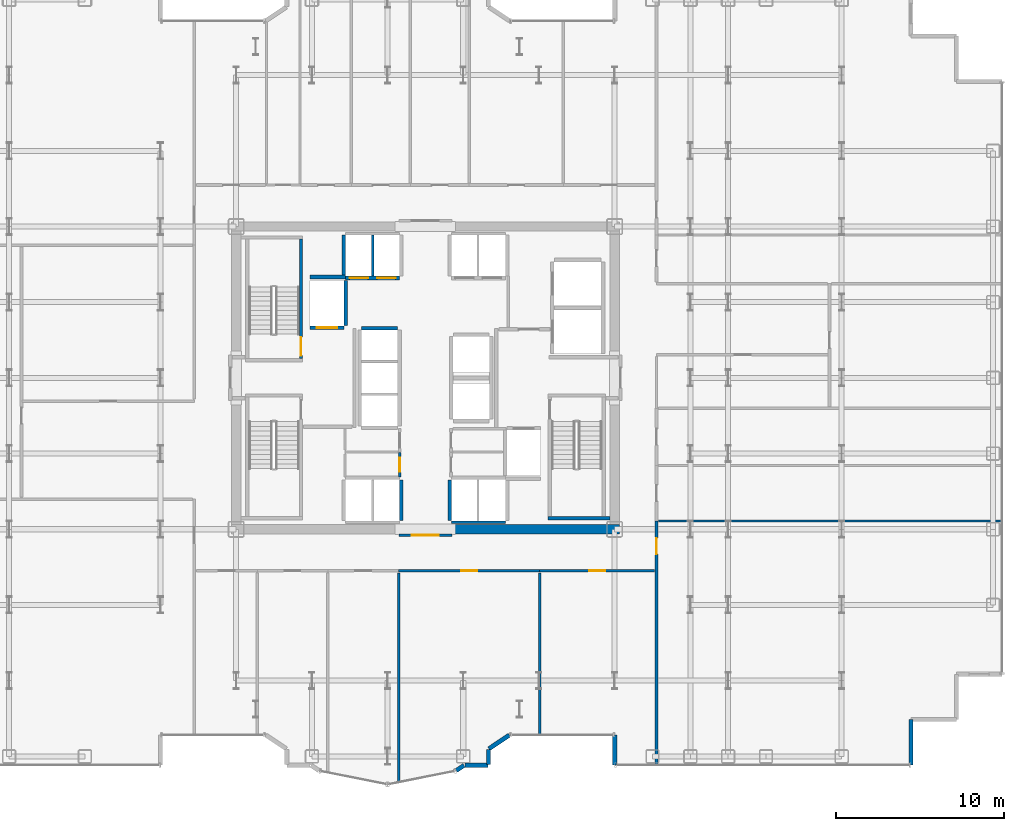
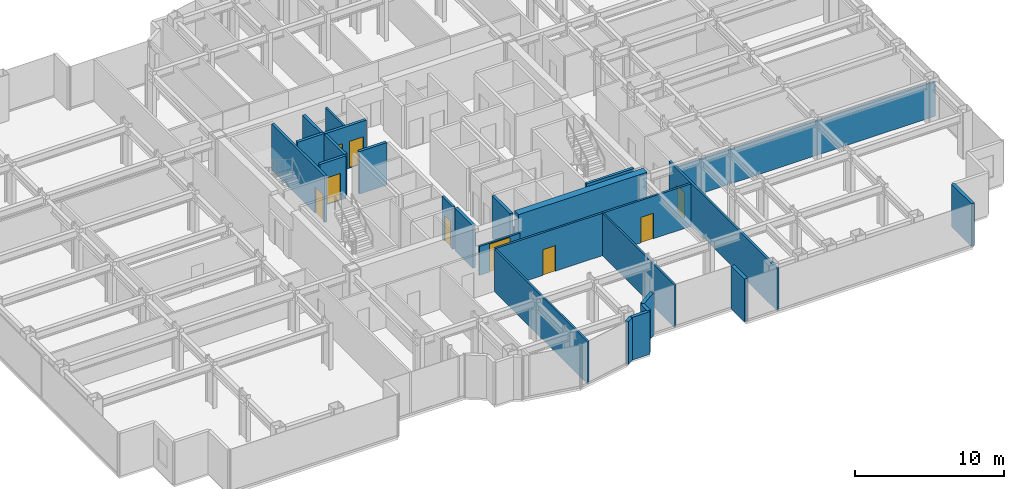
# One storey, part 21 of 26: 27 walls, 9 doors, 9 openings.
"""IFC4 building model written with IfcOpenShell, lengths in metres."""

from ifc_helpers import new_model, si_unit, direction, frame, frame_2d, origin, place, context, subcontext, project, spatial, rectangle, extrude, source, transform, mapped, material, layer, layer_set, type_object, element, fill, save


model = new_model("IFC4")

# Units and contexts
model_context = context("Model", 3, precision=1e-05, world=origin(), true_north=direction((0.0, 1.0)))
body_context = subcontext(model_context, "Body", "Model", "MODEL_VIEW")
ifc_project = project(units=[si_unit("LENGTHUNIT", "METRE"), si_unit("AREAUNIT", "SQUARE_METRE"), si_unit("VOLUMEUNIT", "CUBIC_METRE"), si_unit("PLANEANGLEUNIT", "RADIAN"), si_unit("MASSUNIT", "GRAM", prefix="KILO")], contexts=[model_context])

# Site, building, storey
site_placement = place(None, origin())
site = spatial("IfcSite", under=ifc_project, at=site_placement, CompositionType="ELEMENT")
building_placement = place(site_placement, origin())
building = spatial("IfcBuilding", under=site, at=building_placement, Name="Nefas-Gora Pilgrimage Tower", CompositionType="ELEMENT")
storey_placement = place(building_placement, frame((0.0, 0.0, 140.199951171875)))
storey = spatial("IfcBuildingStorey", under=building, at=storey_placement, Name="L34", CompositionType="ELEMENT", Elevation=140.199951171875)

# Walls
ifc_material_1 = material(Name="Concrete C60/75", Category="concrete")
ifc_layer_1 = layer(ifc_material_1, 0.550048828125)
ifc_layer_set_1 = layer_set([ifc_layer_1], Name="Concrete C60/75")
wall_type_1 = type_object("IfcWallType", Name="SW-CORE-550", PredefinedType="SHEAR", material=ifc_layer_set_1)
shared_shape_1 = source(origin(), body_context, "Body", "SweptSolid", [
    extrude(rectangle(XDim=9.974853515625, YDim=0.550048828125, at=frame_2d((4.9873046875, 0.0))), origin(), (0.0, 0.0, 1.0), 3.800048828125),
])
wall_1_placement = place(storey_placement, frame((1.550048828125, -9.0, 0.0), z_axis=(0.0, 0.0, 1.0), x_axis=(1.0, 0.0, 0.0)))
element("IfcWall", 1, at=wall_1_placement, inside=storey, type_object=wall_type_1, Name="L34 Core Shear Wall S-East", PredefinedType="SHEAR", context=body_context, shape_type="MappedRepresentation", body=[
    mapped(shared_shape_1, transform((0.0, 0.0, 0.0), x_axis=(1.0, 0.0, 0.0), y_axis=(0.0, 1.0, 0.0), z_axis=(0.0, 0.0, 1.0), scale=1.0)),
])
ifc_material_2 = material(Name="Precast concrete C40/50", Category="concrete")
ifc_layer_2 = layer(ifc_material_2, 0.260009765625)
ifc_layer_set_2 = layer_set([ifc_layer_2], Name="Precast concrete C40/50")
wall_type_2 = type_object("IfcWallType", Name="EW-PORTAL-260", PredefinedType="SOLIDWALL", material=ifc_layer_set_2)
shared_shape_2 = source(origin(), body_context, "Body", "SweptSolid", [
    extrude(rectangle(XDim=1.800048828125, YDim=0.260009765625, at=frame_2d((0.89990234375, 0.0))), origin(), (0.0, 0.0, 1.0), 3.5),
])
wall_2_placement = place(storey_placement, frame((11.25, -21.219970703125, 0.0), z_axis=(0.0, 0.0, 1.0), x_axis=(0.0, -1.0, 0.0)))
element("IfcWall", 2, at=wall_2_placement, inside=storey, type_object=wall_type_2, Name="L34 Lobe Shoulder Precast Spandrel Pier 1", PredefinedType="SOLIDWALL", context=body_context, shape_type="MappedRepresentation", body=[
    mapped(shared_shape_2, transform((0.0, 0.0, 0.0), x_axis=(1.0, 0.0, 0.0), y_axis=(0.0, 1.0, 0.0), z_axis=(0.0, 0.0, 1.0), scale=1.0)),
])
ifc_material_3 = material(Name="Precast concrete C45/55", Category="concrete")
ifc_layer_3 = layer(ifc_material_3, 0.239990234375)
ifc_layer_set_3 = layer_set([ifc_layer_3], Name="Precast concrete C45/55")
wall_type_3 = type_object("IfcWallType", Name="EW-SERR-240", PredefinedType="SHEAR", material=ifc_layer_set_3)
shared_shape_3 = source(origin(), body_context, "Body", "SweptSolid", [
    extrude(rectangle(XDim=2.699951171875, YDim=0.239990234375, at=frame_2d((1.35009765625, 0.0))), origin(), (0.0, 0.0, 1.0), 3.5),
])
wall_3_placement = place(storey_placement, frame((28.8701171875, -23.02001953125, 0.0), z_axis=(0.0, 0.0, 1.0), x_axis=(0.0, 1.0, 0.0)))
element("IfcWall", 3, at=wall_3_placement, inside=storey, type_object=wall_type_3, Name="L34 Serrated Corner Shear Pier Wall 2", PredefinedType="SHEAR", context=body_context, shape_type="MappedRepresentation", body=[
    mapped(shared_shape_3, transform((0.0, 0.0, 0.0), x_axis=(1.0, 0.0, 0.0), y_axis=(0.0, 1.0, 0.0), z_axis=(0.0, 0.0, 1.0), scale=1.0)),
])
shared_shape_4 = source(origin(), body_context, "Body", "SweptSolid", [
    extrude(rectangle(XDim=1.468994140625, YDim=0.260009765625, at=frame_2d((0.734375, 0.0))), origin(), (0.0, 0.0, 1.0), 3.5),
])
wall_4_placement = place(storey_placement, frame((3.773193359375, -22.0517578125, 0.0), z_axis=(0.0, 0.0, 1.0), x_axis=(0.831461760506, 0.555581983884, 0.0)))
element("IfcWall", 4, at=wall_4_placement, inside=storey, type_object=wall_type_2, Name="L34 Lobe Shoulder Precast Spandrel Pier 36", PredefinedType="SOLIDWALL", context=body_context, shape_type="MappedRepresentation", body=[
    mapped(shared_shape_4, transform((0.0, 0.0, 0.0), x_axis=(1.0, 0.0, 0.0), y_axis=(0.0, 1.0, 0.0), z_axis=(0.0, 0.0, 1.0), scale=1.0)),
])
shared_shape_5 = source(origin(), body_context, "Body", "SweptSolid", [
    extrude(rectangle(XDim=0.896728515625, YDim=0.260009765625, at=frame_2d((0.4482421875, 0.0))), origin(), (0.0, 0.0, 1.0), 3.5),
])
wall_5_placement = place(storey_placement, frame((3.75, -22.991943359375, 0.0), z_axis=(0.0, 0.0, 1.0), x_axis=(0.0, 1.0, 0.0)))
element("IfcWall", 5, at=wall_5_placement, inside=storey, type_object=wall_type_2, Name="L34 Lobe Shoulder Precast Spandrel Pier 35", PredefinedType="SOLIDWALL", context=body_context, shape_type="MappedRepresentation", body=[
    mapped(shared_shape_5, transform((0.0, 0.0, 0.0), x_axis=(1.0, 0.0, 0.0), y_axis=(0.0, 1.0, 0.0), z_axis=(0.0, 0.0, 1.0), scale=1.0)),
])
shared_shape_6 = source(origin(), body_context, "Body", "SweptSolid", [
    extrude(rectangle(XDim=1.369873046875, YDim=0.260009765625, at=frame_2d((0.68505859375, 0.0))), origin(), (0.0, 0.0, 1.0), 3.5),
])
wall_6_placement = place(storey_placement, frame((2.35205078125, -23.02001953125, 0.0), z_axis=(0.0, 0.0, 1.0), x_axis=(1.0, 0.0, 0.0)))
element("IfcWall", 6, at=wall_6_placement, inside=storey, type_object=wall_type_2, Name="L34 Lobe Shoulder Precast Spandrel Pier 34", PredefinedType="SOLIDWALL", context=body_context, shape_type="MappedRepresentation", body=[
    mapped(shared_shape_6, transform((0.0, 0.0, 0.0), x_axis=(1.0, 0.0, 0.0), y_axis=(0.0, 1.0, 0.0), z_axis=(0.0, 0.0, 1.0), scale=1.0)),
])
shared_shape_7 = source(origin(), body_context, "Body", "SweptSolid", [
    extrude(rectangle(XDim=0.5654296875, YDim=0.260009765625, at=frame_2d((0.28271484375, 0.0))), origin(), (0.0, 0.0, 1.0), 3.5),
])
wall_7_placement = place(storey_placement, frame((1.83056640625, -23.349609375, 0.0), z_axis=(0.0, 0.0, 1.0), x_axis=(0.831651492666, 0.555297933317, 0.0)))
element("IfcWall", 7, at=wall_7_placement, inside=storey, type_object=wall_type_2, Name="L34 Lobe Shoulder Precast Spandrel Pier 33", PredefinedType="SOLIDWALL", context=body_context, shape_type="MappedRepresentation", body=[
    mapped(shared_shape_7, transform((0.0, 0.0, 0.0), x_axis=(1.0, 0.0, 0.0), y_axis=(0.0, 1.0, 0.0), z_axis=(0.0, 0.0, 1.0), scale=1.0)),
])

# Wall, opening, door
ifc_material_4 = material(Name="Concrete C45/55", Category="concrete")
ifc_layer_4 = layer(ifc_material_4, 0.199951171875)
ifc_layer_set_4 = layer_set([ifc_layer_4], Name="Concrete C45/55")
wall_type_4 = type_object("IfcWallType", Name="IW-STAIR-200", PredefinedType="SOLIDWALL", material=ifc_layer_set_4)
shared_shape_8 = source(origin(), body_context, "Body", "SweptSolid", [
    extrude(rectangle(XDim=7.10009765625, YDim=0.199951171875, at=frame_2d((3.550048828125, 0.0))), origin(), (0.0, 0.0, 1.0), 3.800048828125),
])
wall_8_placement = place(storey_placement, frame((-7.39990234375, 1.14990234375, 0.0), z_axis=(0.0, 0.0, 1.0), x_axis=(0.0, 1.0, 0.0)))
wall_8 = element("IfcWall", 8, at=wall_8_placement, inside=storey, type_object=wall_type_4, Name="L34 Stairwell Shear Wall ST-01-left", PredefinedType="SOLIDWALL", context=body_context, shape_type="MappedRepresentation", body=[
    mapped(shared_shape_8, transform((0.0, 0.0, 0.0), x_axis=(1.0, 0.0, 0.0), y_axis=(0.0, 1.0, 0.0), z_axis=(0.0, 0.0, 1.0), scale=1.0)),
])
opening_1_placement = place(wall_8_placement, frame((0.179931640625, 0.0, 0.0)))
opening_1 = element("IfcOpeningElement", 9, at=opening_1_placement, cuts=wall_8, Name="Opening ID-ST1", PredefinedType="OPENING", context=body_context, shape_type="SweptSolid", body=[
    extrude(rectangle(XDim=1.10009765625, YDim=2.14990234375, at=frame_2d((0.550048828125, 1.074951171875))), frame((0.0, 0.10986328125, 0.0), z_axis=(0.0, -1.0, 0.0), x_axis=(1.0, 0.0, 0.0)), (0.0, 0.0, 1.0), 0.219970703125),
])
ifc_material_5 = material(Name="Painted galvanised steel fire stair door", Category="steel")
door_type_1 = type_object("IfcDoorType", Name="DR-INT-STAIR-1100", OperationType="NOTDEFINED", PredefinedType="DOOR", material=ifc_material_5)
shared_shape_9 = source(origin(), body_context, "Body", "SweptSolid", [
    extrude(rectangle(XDim=1.10009765625, YDim=2.14990234375, at=frame_2d((0.550048828125, 1.074951171875))), frame((0.0, 0.02490234375, 0.0), z_axis=(0.0, -1.0, 0.0), x_axis=(1.0, 0.0, 0.0)), (0.0, 0.0, 1.0), 0.050048828125),
])
door_1_placement = place(opening_1_placement, origin())
door_1 = element("IfcDoor", 10, at=door_1_placement, inside=storey, type_object=door_type_1, Name="L34 Protected Exit Stair Door ST-01", OperationType="SINGLE_SWING_RIGHT", OverallHeight=2.14990234375, OverallWidth=1.10009765625, PredefinedType="DOOR", context=body_context, shape_type="MappedRepresentation", body=[
    mapped(shared_shape_9, transform((0.0, 0.0, 0.0), x_axis=(1.0, 0.0, 0.0), y_axis=(0.0, 1.0, 0.0), z_axis=(0.0, 0.0, 1.0), scale=1.0)),
])
fill(opening_1, door_1)

# Wall
shared_shape_10 = source(origin(), body_context, "Body", "SweptSolid", [
    extrude(rectangle(XDim=3.679931640625, YDim=0.199951171875, at=frame_2d((1.83984375, 0.0))), origin(), (0.0, 0.0, 1.0), 3.800048828125),
])
wall_9_placement = place(storey_placement, frame((7.300048828125, -8.35009765625, 0.0), z_axis=(0.0, 0.0, 1.0), x_axis=(1.0, 0.0, 0.0)))
element("IfcWall", 11, at=wall_9_placement, inside=storey, type_object=wall_type_4, Name="L34 Stairwell Shear Wall ST-02-far", PredefinedType="SOLIDWALL", context=body_context, shape_type="MappedRepresentation", body=[
    mapped(shared_shape_10, transform((0.0, 0.0, 0.0), x_axis=(1.0, 0.0, 0.0), y_axis=(0.0, 1.0, 0.0), z_axis=(0.0, 0.0, 1.0), scale=1.0)),
])

# Wall, opening, door
ifc_material_6 = material(Name="Concrete C40/50", Category="concrete")
ifc_layer_5 = layer(ifc_material_6, 0.219970703125)
ifc_layer_set_5 = layer_set([ifc_layer_5], Name="Concrete C40/50")
wall_type_5 = type_object("IfcWallType", Name="IW-SHAFT-220", PredefinedType="SOLIDWALL", material=ifc_layer_set_5)
shared_shape_11 = source(origin(), body_context, "Body", "SweptSolid", [
    extrude(rectangle(XDim=2.0, YDim=0.219970703125, at=frame_2d((1.0, 0.0))), origin(), (0.0, 0.0, 1.0), 3.485107421875),
])
wall_10_placement = place(storey_placement, frame((-6.85009765625, 2.989990234375, 0.0), z_axis=(0.0, 0.0, 1.0), x_axis=(1.0, 0.0, 0.0)))
wall_10 = element("IfcWall", 12, at=wall_10_placement, inside=storey, type_object=wall_type_5, Name="L34 Hoistway Wall FFL-01-S", PredefinedType="SOLIDWALL", context=body_context, shape_type="MappedRepresentation", body=[
    mapped(shared_shape_11, transform((0.0, 0.0, 0.0), x_axis=(1.0, 0.0, 0.0), y_axis=(0.0, 1.0, 0.0), z_axis=(0.0, 0.0, 1.0), scale=1.0)),
])
opening_2_placement = place(wall_10_placement, frame((0.39990234375, 0.0, 0.0)))
opening_2 = element("IfcOpeningElement", 13, at=opening_2_placement, cuts=wall_10, Name="Opening LD-FF", PredefinedType="OPENING", context=body_context, shape_type="SweptSolid", body=[
    extrude(rectangle(XDim=1.199951171875, YDim=2.199951171875, at=frame_2d((0.60009765625, 1.10009765625))), frame((0.0, 0.119873046875, 0.0), z_axis=(0.0, -1.0, 0.0), x_axis=(1.0, 0.0, 0.0)), (0.0, 0.0, 1.0), 0.239990234375),
])
ifc_material_7 = material(Name="Fire-service sliding lift landing door")
door_type_2 = type_object("IfcDoorType", Name="DR-LIFT-FSAE-1200", OperationType="SLIDING_TO_LEFT", PredefinedType="DOOR", material=ifc_material_7)
shared_shape_12 = source(origin(), body_context, "Body", "SweptSolid", [
    extrude(rectangle(XDim=1.199951171875, YDim=2.199951171875, at=frame_2d((0.60009765625, 1.10009765625))), frame((0.0, 0.02490234375, 0.0), z_axis=(0.0, -1.0, 0.0), x_axis=(1.0, 0.0, 0.0)), (0.0, 0.0, 1.0), 0.050048828125),
])
door_2_placement = place(opening_2_placement, origin())
door_2 = element("IfcDoor", 14, at=door_2_placement, inside=storey, type_object=door_type_2, Name="L34 Sliding Lift Landing Door FFL-01", OperationType="SLIDING_TO_LEFT", OverallHeight=2.199951171875, OverallWidth=1.199951171875, PredefinedType="DOOR", context=body_context, shape_type="MappedRepresentation", body=[
    mapped(shared_shape_12, transform((0.0, 0.0, 0.0), x_axis=(1.0, 0.0, 0.0), y_axis=(0.0, 1.0, 0.0), z_axis=(0.0, 0.0, 1.0), scale=1.0)),
])
fill(opening_2, door_2)

# Wall
shared_shape_13 = source(origin(), body_context, "Body", "SweptSolid", [
    extrude(rectangle(XDim=2.679931640625, YDim=0.219970703125, at=frame_2d((1.33984375, 0.0))), origin(), (0.0, 0.0, 1.0), 3.485107421875),
])
wall_11_placement = place(storey_placement, frame((-4.739990234375, 3.110107421875, 0.0), z_axis=(0.0, 0.0, 1.0), x_axis=(0.0, 1.0, 0.0)))
element("IfcWall", 15, at=wall_11_placement, inside=storey, type_object=wall_type_5, Name="L34 Hoistway Wall FFL-01-E", PredefinedType="SOLIDWALL", context=body_context, shape_type="MappedRepresentation", body=[
    mapped(shared_shape_13, transform((0.0, 0.0, 0.0), x_axis=(1.0, 0.0, 0.0), y_axis=(0.0, 1.0, 0.0), z_axis=(0.0, 0.0, 1.0), scale=1.0)),
])

# Wall, openings, doors
shared_shape_14 = source(origin(), body_context, "Body", "SweptSolid", [
    extrude(rectangle(XDim=3.199951171875, YDim=0.219970703125, at=frame_2d((1.60009765625, 0.0))), origin(), (0.0, 0.0, 1.0), 3.485107421875),
])
wall_12_placement = place(storey_placement, frame((-4.75, 5.93994140625, 0.0), z_axis=(0.0, 0.0, 1.0), x_axis=(1.0, 0.0, 0.0)))
wall_12 = element("IfcWall", 16, at=wall_12_placement, inside=storey, type_object=wall_type_5, Name="L34 Hoistway Wall PL1-W-S", PredefinedType="SOLIDWALL", context=body_context, shape_type="MappedRepresentation", body=[
    mapped(shared_shape_14, transform((0.0, 0.0, 0.0), x_axis=(1.0, 0.0, 0.0), y_axis=(0.0, 1.0, 0.0), z_axis=(0.0, 0.0, 1.0), scale=1.0)),
])
opening_3_placement = place(wall_12_placement, frame((0.25, 0.0, 0.0)))
opening_3 = element("IfcOpeningElement", 17, at=opening_3_placement, cuts=wall_12, Name="Opening LD-01", PredefinedType="OPENING", context=body_context, shape_type="SweptSolid", body=[
    extrude(rectangle(XDim=1.10009765625, YDim=2.199951171875, at=frame_2d((0.550048828125, 1.10009765625))), frame((0.0, 0.119873046875, 0.0), z_axis=(0.0, -1.0, 0.0), x_axis=(1.0, 0.0, 0.0)), (0.0, 0.0, 1.0), 0.239990234375),
])
opening_4_placement = place(wall_12_placement, frame((1.875, 0.0, 0.0)))
opening_4 = element("IfcOpeningElement", 18, at=opening_4_placement, cuts=wall_12, Name="Opening LD-01", PredefinedType="OPENING", context=body_context, shape_type="SweptSolid", body=[
    extrude(rectangle(XDim=1.10009765625, YDim=2.199951171875, at=frame_2d((0.550048828125, 1.10009765625))), frame((0.0, 0.119873046875, 0.0), z_axis=(0.0, -1.0, 0.0), x_axis=(1.0, 0.0, 0.0)), (0.0, 0.0, 1.0), 0.239990234375),
])
ifc_material_8 = material(Name="Brushed stainless sliding lift landing door")
door_type_3 = type_object("IfcDoorType", Name="DR-LIFT-PASS-1100", OperationType="DOUBLE_DOOR_SLIDING", PredefinedType="DOOR", material=ifc_material_8)
shared_shape_15 = source(origin(), body_context, "Body", "SweptSolid", [
    extrude(rectangle(XDim=1.10009765625, YDim=2.199951171875, at=frame_2d((0.550048828125, 1.10009765625))), frame((0.0, 0.02490234375, 0.0), z_axis=(0.0, -1.0, 0.0), x_axis=(1.0, 0.0, 0.0)), (0.0, 0.0, 1.0), 0.050048828125),
])
door_3_placement = place(opening_3_placement, origin())
door_3 = element("IfcDoor", 19, at=door_3_placement, inside=storey, type_object=door_type_3, Name="L34 Sliding Lift Landing Door PL1-01", OperationType="DOUBLE_DOOR_SLIDING", OverallHeight=2.199951171875, OverallWidth=1.10009765625, PredefinedType="DOOR", context=body_context, shape_type="MappedRepresentation", body=[
    mapped(shared_shape_15, transform((0.0, 0.0, 0.0), x_axis=(1.0, 0.0, 0.0), y_axis=(0.0, 1.0, 0.0), z_axis=(0.0, 0.0, 1.0), scale=1.0)),
])
fill(opening_3, door_3)
door_4_placement = place(opening_4_placement, origin())
door_4 = element("IfcDoor", 20, at=door_4_placement, inside=storey, type_object=door_type_3, Name="L34 Sliding Lift Landing Door PL1-02", OperationType="DOUBLE_DOOR_SLIDING", OverallHeight=2.199951171875, OverallWidth=1.10009765625, PredefinedType="DOOR", context=body_context, shape_type="MappedRepresentation", body=[
    mapped(shared_shape_15, transform((0.0, 0.0, 0.0), x_axis=(1.0, 0.0, 0.0), y_axis=(0.0, 1.0, 0.0), z_axis=(0.0, 0.0, 1.0), scale=1.0)),
])
fill(opening_4, door_4)

# Walls
ifc_material_9 = material(Name="Gypsum acoustic stud partition")
ifc_layer_6 = layer(ifc_material_9, 0.159912109375)
ifc_layer_set_6 = layer_set([ifc_layer_6], Name="Gypsum acoustic stud partition")
wall_type_6 = type_object("IfcWallType", Name="IW-CORR-160", PredefinedType="PARTITIONING", material=ifc_layer_set_6)
shared_shape_16 = source(origin(), body_context, "Body", "SweptSolid", [
    extrude(rectangle(XDim=3.199951171875, YDim=0.159912109375, at=frame_2d((1.60009765625, 0.0))), origin(), (0.0, 0.0, 1.0), 2.375),
])
wall_13_placement = place(storey_placement, frame((1.550048828125, -8.580078125, 0.0), z_axis=(0.0, 0.0, 1.0), x_axis=(1.0, 0.0, 0.0)))
element("IfcWall", 21, at=wall_13_placement, inside=storey, type_object=wall_type_6, Name="L34 Hoistway Wall PL2-E-S", PredefinedType="PARTITIONING", context=body_context, shape_type="MappedRepresentation", body=[
    mapped(shared_shape_16, transform((0.0, 0.0, 0.0), x_axis=(1.0, 0.0, 0.0), y_axis=(0.0, 1.0, 0.0), z_axis=(0.0, 0.0, 1.0), scale=1.0)),
])
shared_shape_17 = source(origin(), body_context, "Body", "SweptSolid", [
    extrude(rectangle(XDim=2.429931640625, YDim=0.219970703125, at=frame_2d((1.21484375, 0.0))), origin(), (0.0, 0.0, 1.0), 3.485107421875),
])
for number, where, z_axis, x_axis, name in (
    (22, (-4.860107421875, 8.489990234375, 0.0), (0.0, 0.0, 1.0), (0.0, -1.0, 0.0), "L34 Hoistway Wall PL1-W-W"),
    (23, (-1.43994140625, -8.489990234375, 0.0), (0.0, 0.0, 1.0), (0.0, 1.0, 0.0), "L34 Hoistway Wall PL2-W-E"),
    (24, (1.43994140625, -6.06005859375, 0.0), (0.0, 0.0, 1.0), (0.0, -1.0, 0.0), "L34 Hoistway Wall PL2-E-W"),
):
    element("IfcWall", number, at=place(storey_placement, frame(where, z_axis=z_axis, x_axis=x_axis)), inside=storey, type_object=wall_type_5, Name=name, PredefinedType="SOLIDWALL", context=body_context, shape_type="MappedRepresentation", body=[
        mapped(shared_shape_17, transform((0.0, 0.0, 0.0), x_axis=(1.0, 0.0, 0.0), y_axis=(0.0, 1.0, 0.0), z_axis=(0.0, 0.0, 1.0), scale=1.0)),
    ])
ifc_material_10 = material(Name="Gypsum twin-stud partition")
ifc_layer_7 = layer(ifc_material_10, 0.139892578125)
ifc_layer_set_7 = layer_set([ifc_layer_7], Name="Gypsum twin-stud partition")
wall_type_7 = type_object("IfcWallType", Name="IW-UNIT-140", PredefinedType="PARTITIONING", material=ifc_layer_set_7)
shared_shape_18 = source(origin(), body_context, "Body", "SweptSolid", [
    extrude(rectangle(XDim=2.429931640625, YDim=0.139892578125, at=frame_2d((1.21484375, 0.0))), origin(), (0.0, 0.0, 1.0), 3.485107421875),
])
wall_14_placement = place(storey_placement, frame((-3.125, 6.06005859375, 0.0), z_axis=(0.0, 0.0, 1.0), x_axis=(0.0, 1.0, 0.0)))
element("IfcWall", 25, at=wall_14_placement, inside=storey, type_object=wall_type_7, Name="L34 Hoistway Wall PL1-W-DIV", PredefinedType="PARTITIONING", context=body_context, shape_type="MappedRepresentation", body=[
    mapped(shared_shape_18, transform((0.0, 0.0, 0.0), x_axis=(1.0, 0.0, 0.0), y_axis=(0.0, 1.0, 0.0), z_axis=(0.0, 0.0, 1.0), scale=1.0)),
])
shared_shape_19 = source(origin(), body_context, "Body", "SweptSolid", [
    extrude(rectangle(XDim=2.130126953125, YDim=0.219970703125, at=frame_2d((1.06494140625, 0.0))), origin(), (0.0, 0.0, 1.0), 3.485107421875),
])
wall_15_placement = place(storey_placement, frame((-1.659912109375, 2.9599609375, 0.0), z_axis=(0.0, 0.0, 1.0), x_axis=(-1.0, 0.0, 0.0)))
element("IfcWall", 26, at=wall_15_placement, inside=storey, type_object=wall_type_5, Name="L34 Hoistway Wall PL3-03-N", PredefinedType="SOLIDWALL", context=body_context, shape_type="MappedRepresentation", body=[
    mapped(shared_shape_19, transform((0.0, 0.0, 0.0), x_axis=(1.0, 0.0, 0.0), y_axis=(0.0, 1.0, 0.0), z_axis=(0.0, 0.0, 1.0), scale=1.0)),
])
shared_shape_20 = source(origin(), body_context, "Body", "SweptSolid", [
    extrude(rectangle(XDim=20.429931640625, YDim=0.139892578125, at=frame_2d((10.21484375, 0.0))), origin(), (0.0, 0.0, 1.0), 2.824951171875),
])
wall_16_placement = place(storey_placement, frame((13.860107421875, -8.5048828125, 0.0), z_axis=(0.0, 0.0, 1.0), x_axis=(1.0, 0.0, 0.0)))
element("IfcWall", 27, at=wall_16_placement, inside=storey, type_object=wall_type_7, Name="L34 Pilgrim Tea and Beverage Pantry Partition Wall 36", PredefinedType="PARTITIONING", context=body_context, shape_type="MappedRepresentation", body=[
    mapped(shared_shape_20, transform((0.0, 0.0, 0.0), x_axis=(1.0, 0.0, 0.0), y_axis=(0.0, 1.0, 0.0), z_axis=(0.0, 0.0, 1.0), scale=1.0)),
])
shared_shape_21 = source(origin(), body_context, "Body", "SweptSolid", [
    extrude(rectangle(XDim=2.09521484375, YDim=0.219970703125, at=frame_2d((1.047607421875, 0.0))), origin(), (0.0, 0.0, 1.0), 3.485107421875),
])
wall_17_placement = place(storey_placement, frame((-6.85009765625, 6.0, 0.0), z_axis=(0.0, 0.0, 1.0), x_axis=(1.0, 0.0, 0.0)))
element("IfcWall", 28, at=wall_17_placement, inside=storey, type_object=wall_type_5, Name="L34 Riser Shaft Wall 1", PredefinedType="SOLIDWALL", context=body_context, shape_type="MappedRepresentation", body=[
    mapped(shared_shape_21, transform((0.0, 0.0, 0.0), x_axis=(1.0, 0.0, 0.0), y_axis=(0.0, 1.0, 0.0), z_axis=(0.0, 0.0, 1.0), scale=1.0)),
])
shared_shape_22 = source(origin(), body_context, "Body", "SweptSolid", [
    extrude(rectangle(XDim=9.64990234375, YDim=0.139892578125, at=frame_2d((4.824951171875, 0.0))), origin(), (0.0, 0.0, 1.0), 3.485107421875),
])
wall_18_placement = place(storey_placement, frame((6.794921875, -21.239990234375, 0.0), z_axis=(0.0, 0.0, 1.0), x_axis=(0.0, 1.0, 0.0)))
element("IfcWall", 29, at=wall_18_placement, inside=storey, type_object=wall_type_7, Name="L34 Pilgrim Contemplative Lounge Partition Wall 63", PredefinedType="PARTITIONING", context=body_context, shape_type="MappedRepresentation", body=[
    mapped(shared_shape_22, transform((0.0, 0.0, 0.0), x_axis=(1.0, 0.0, 0.0), y_axis=(0.0, 1.0, 0.0), z_axis=(0.0, 0.0, 1.0), scale=1.0)),
])

# Wall, opening, door
shared_shape_23 = source(origin(), body_context, "Body", "SweptSolid", [
    extrude(rectangle(XDim=3.16015625, YDim=0.159912109375, at=frame_2d((1.580078125, 0.0))), origin(), (0.0, 0.0, 1.0), 2.375),
])
wall_19_placement = place(storey_placement, frame((-1.580078125, -9.35009765625, 0.0), z_axis=(0.0, 0.0, 1.0), x_axis=(1.0, 0.0, 0.0)))
wall_19 = element("IfcWall", 30, at=wall_19_placement, inside=storey, type_object=wall_type_6, Name="L34 Central Lift Lobby South Portal Wall 14", PredefinedType="PARTITIONING", context=body_context, shape_type="MappedRepresentation", body=[
    mapped(shared_shape_23, transform((0.0, 0.0, 0.0), x_axis=(1.0, 0.0, 0.0), y_axis=(0.0, 1.0, 0.0), z_axis=(0.0, 0.0, 1.0), scale=1.0)),
])
opening_5_placement = place(wall_19_placement, frame((0.780029296875, 0.0, 0.0)))
opening_5 = element("IfcOpeningElement", 31, at=opening_5_placement, cuts=wall_19, Name="Opening ID-HL1", PredefinedType="OPENING", context=body_context, shape_type="SweptSolid", body=[
    extrude(rectangle(XDim=1.60009765625, YDim=2.300048828125, at=frame_2d((0.800048828125, 1.14990234375))), frame((0.0, 0.08984375, 0.0), z_axis=(0.0, -1.0, 0.0), x_axis=(1.0, 0.0, 0.0)), (0.0, 0.0, 1.0), 0.179931640625),
])
ifc_material_11 = material(Name="Double acoustic timber assembly hall door", Category="wood")
door_type_4 = type_object("IfcDoorType", Name="DR-INT-HALL-1600", OperationType="DOUBLE_DOOR_SINGLE_SWING", PredefinedType="DOOR", material=ifc_material_11)
shared_shape_24 = source(origin(), body_context, "Body", "SweptSolid", [
    extrude(rectangle(XDim=1.60009765625, YDim=2.300048828125, at=frame_2d((0.800048828125, 1.14990234375))), frame((0.0, 0.02490234375, 0.0), z_axis=(0.0, -1.0, 0.0), x_axis=(1.0, 0.0, 0.0)), (0.0, 0.0, 1.0), 0.050048828125),
])
door_5_placement = place(opening_5_placement, origin())
door_5 = element("IfcDoor", 32, at=door_5_placement, inside=storey, type_object=door_type_4, Name="L34 Central Lift Lobby South Portal Door 5", OperationType="DOUBLE_DOOR_SINGLE_SWING", OverallHeight=2.300048828125, OverallWidth=1.60009765625, PredefinedType="DOOR", context=body_context, shape_type="MappedRepresentation", body=[
    mapped(shared_shape_24, transform((0.0, 0.0, 0.0), x_axis=(1.0, 0.0, 0.0), y_axis=(0.0, 1.0, 0.0), z_axis=(0.0, 0.0, 1.0), scale=1.0)),
])
fill(opening_5, door_5)

shared_shape_25 = source(origin(), body_context, "Body", "SweptSolid", [
    extrude(rectangle(XDim=1.449951171875, YDim=0.159912109375, at=frame_2d((0.72509765625, 0.0))), origin(), (0.0, 0.0, 1.0), 3.485107421875),
])
wall_20_placement = place(storey_placement, frame((-1.52001953125, -5.889892578125, 0.0), z_axis=(0.0, 0.0, 1.0), x_axis=(0.0, 1.0, 0.0)))
wall_20 = element("IfcWall", 33, at=wall_20_placement, inside=storey, type_object=wall_type_6, Name="L34 Guest Self-Service Laundry Room Wall 19", PredefinedType="PARTITIONING", context=body_context, shape_type="MappedRepresentation", body=[
    mapped(shared_shape_25, transform((0.0, 0.0, 0.0), x_axis=(1.0, 0.0, 0.0), y_axis=(0.0, 1.0, 0.0), z_axis=(0.0, 0.0, 1.0), scale=1.0)),
])
opening_6_placement = place(wall_20_placement, frame((0.300048828125, 0.0, 0.0)))
opening_6 = element("IfcOpeningElement", 34, at=opening_6_placement, cuts=wall_20, Name="Opening ID-BT1", PredefinedType="OPENING", context=body_context, shape_type="SweptSolid", body=[
    extrude(rectangle(XDim=0.85009765625, YDim=2.10009765625, at=frame_2d((0.425048828125, 1.050048828125))), frame((0.0, 0.08984375, 0.0), z_axis=(0.0, -1.0, 0.0), x_axis=(1.0, 0.0, 0.0)), (0.0, 0.0, 1.0), 0.179931640625),
])
ifc_material_12 = material(Name="Moisture-resistant fire-rated timber door", Category="wood")
door_type_5 = type_object("IfcDoorType", Name="DR-INT-BATH-850", OperationType="NOTDEFINED", PredefinedType="DOOR", material=ifc_material_12)
shared_shape_26 = source(origin(), body_context, "Body", "SweptSolid", [
    extrude(rectangle(XDim=0.85009765625, YDim=2.10009765625, at=frame_2d((0.425048828125, 1.050048828125))), frame((0.0, 0.02490234375, 0.0), z_axis=(0.0, -1.0, 0.0), x_axis=(1.0, 0.0, 0.0)), (0.0, 0.0, 1.0), 0.050048828125),
])
door_6_placement = place(opening_6_placement, origin())
door_6 = element("IfcDoor", 35, at=door_6_placement, inside=storey, type_object=door_type_5, Name="L34 Guest Self-Service Laundry Room Door 7", OperationType="SINGLE_SWING_LEFT", OverallHeight=2.10009765625, OverallWidth=0.85009765625, PredefinedType="DOOR", context=body_context, shape_type="MappedRepresentation", body=[
    mapped(shared_shape_26, transform((0.0, 0.0, 0.0), x_axis=(1.0, 0.0, 0.0), y_axis=(0.0, 1.0, 0.0), z_axis=(0.0, 0.0, 1.0), scale=1.0)),
])
fill(opening_6, door_6)

shared_shape_27 = source(origin(), body_context, "Body", "SweptSolid", [
    extrude(rectangle(XDim=14.544921875, YDim=0.159912109375, at=frame_2d((7.2724609375, 0.0))), origin(), (0.0, 0.0, 1.0), 3.485107421875),
])
wall_21_placement = place(storey_placement, frame((13.739990234375, -23.0400390625, 0.0), z_axis=(0.0, 0.0, 1.0), x_axis=(0.0, 1.0, 0.0)))
wall_21 = element("IfcWall", 36, at=wall_21_placement, inside=storey, type_object=wall_type_6, Name="L34 Pilgrim Tea and Beverage Pantry Partition Wall 35", PredefinedType="PARTITIONING", context=body_context, shape_type="MappedRepresentation", body=[
    mapped(shared_shape_27, transform((0.0, 0.0, 0.0), x_axis=(1.0, 0.0, 0.0), y_axis=(0.0, 1.0, 0.0), z_axis=(0.0, 0.0, 1.0), scale=1.0)),
])
opening_7_placement = place(wall_21_placement, frame((12.5625, 0.0, 0.0)))
opening_7 = element("IfcOpeningElement", 37, at=opening_7_placement, cuts=wall_21, Name="Opening ID-GR1", PredefinedType="OPENING", context=body_context, shape_type="SweptSolid", body=[
    extrude(rectangle(XDim=0.949951171875, YDim=2.10009765625, at=frame_2d((0.47509765625, 1.050048828125))), frame((0.0, 0.08984375, 0.0), z_axis=(0.0, -1.0, 0.0), x_axis=(1.0, 0.0, 0.0)), (0.0, 0.0, 1.0), 0.179931640625),
])
ifc_material_13 = material(Name="Solid core oak fire-rated guest entrance door")
door_type_6 = type_object("IfcDoorType", Name="DR-INT-GUEST-950", OperationType="NOTDEFINED", PredefinedType="DOOR", material=ifc_material_13)
shared_shape_28 = source(origin(), body_context, "Body", "SweptSolid", [
    extrude(rectangle(XDim=0.949951171875, YDim=2.10009765625, at=frame_2d((0.47509765625, 1.050048828125))), frame((0.0, 0.02490234375, 0.0), z_axis=(0.0, -1.0, 0.0), x_axis=(1.0, 0.0, 0.0)), (0.0, 0.0, 1.0), 0.050048828125),
])
door_7_placement = place(opening_7_placement, origin())
door_7 = element("IfcDoor", 38, at=door_7_placement, inside=storey, type_object=door_type_6, Name="L34 Pilgrim Tea and Beverage Pantry Door 15", OperationType="SINGLE_SWING_LEFT", OverallHeight=2.10009765625, OverallWidth=0.949951171875, PredefinedType="DOOR", context=body_context, shape_type="MappedRepresentation", body=[
    mapped(shared_shape_28, transform((0.0, 0.0, 0.0), x_axis=(1.0, 0.0, 0.0), y_axis=(0.0, 1.0, 0.0), z_axis=(0.0, 0.0, 1.0), scale=1.0)),
])
fill(opening_7, door_7)

shared_shape_29 = source(origin(), body_context, "Body", "SweptSolid", [
    extrude(rectangle(XDim=8.405029296875, YDim=0.159912109375, at=frame_2d((4.20263671875, 0.0))), origin(), (0.0, 0.0, 1.0), 3.485107421875),
])
wall_22_placement = place(storey_placement, frame((-1.60009765625, -11.469970703125, 0.0), z_axis=(0.0, 0.0, 1.0), x_axis=(1.0, 0.0, 0.0)))
wall_22 = element("IfcWall", 39, at=wall_22_placement, inside=storey, type_object=wall_type_6, Name="L34 Pilgrim Contemplative Lounge Partition Wall 61", PredefinedType="PARTITIONING", context=body_context, shape_type="MappedRepresentation", body=[
    mapped(shared_shape_29, transform((0.0, 0.0, 0.0), x_axis=(1.0, 0.0, 0.0), y_axis=(0.0, 1.0, 0.0), z_axis=(0.0, 0.0, 1.0), scale=1.0)),
])
opening_8_placement = place(wall_22_placement, frame((3.7275390625, 0.0, 0.0)))
opening_8 = element("IfcOpeningElement", 40, at=opening_8_placement, cuts=wall_22, Name="Opening ID-GR1", PredefinedType="OPENING", context=body_context, shape_type="SweptSolid", body=[
    extrude(rectangle(XDim=0.949951171875, YDim=2.10009765625, at=frame_2d((0.47509765625, 1.050048828125))), frame((0.0, 0.08984375, 0.0), z_axis=(0.0, -1.0, 0.0), x_axis=(1.0, 0.0, 0.0)), (0.0, 0.0, 1.0), 0.179931640625),
])
door_8_placement = place(opening_8_placement, origin())
door_8 = element("IfcDoor", 41, at=door_8_placement, inside=storey, type_object=door_type_6, Name="L34 Pilgrim Contemplative Lounge Door 29", OperationType="SINGLE_SWING_LEFT", OverallHeight=2.10009765625, OverallWidth=0.949951171875, PredefinedType="DOOR", context=body_context, shape_type="MappedRepresentation", body=[
    mapped(shared_shape_28, transform((0.0, 0.0, 0.0), x_axis=(1.0, 0.0, 0.0), y_axis=(0.0, 1.0, 0.0), z_axis=(0.0, 0.0, 1.0), scale=1.0)),
])
fill(opening_8, door_8)

# Wall
shared_shape_30 = source(origin(), body_context, "Body", "SweptSolid", [
    extrude(rectangle(XDim=12.475341796875, YDim=0.139892578125, at=frame_2d((6.23779296875, 0.0))), origin(), (0.0, 0.0, 1.0), 3.485107421875),
])
wall_23_placement = place(storey_placement, frame((-1.590087890625, -24.0654296875, 0.0), z_axis=(0.0, 0.0, 1.0), x_axis=(0.0, 1.0, 0.0)))
element("IfcWall", 42, at=wall_23_placement, inside=storey, type_object=wall_type_7, Name="L34 Pilgrim Contemplative Lounge Partition Wall 62", PredefinedType="PARTITIONING", context=body_context, shape_type="MappedRepresentation", body=[
    mapped(shared_shape_30, transform((0.0, 0.0, 0.0), x_axis=(1.0, 0.0, 0.0), y_axis=(0.0, 1.0, 0.0), z_axis=(0.0, 0.0, 1.0), scale=1.0)),
])

# Wall, opening, door
shared_shape_31 = source(origin(), body_context, "Body", "SweptSolid", [
    extrude(rectangle(XDim=6.8251953125, YDim=0.159912109375, at=frame_2d((3.41259765625, 0.0))), origin(), (0.0, 0.0, 1.0), 3.485107421875),
])
wall_24_placement = place(storey_placement, frame((6.794921875, -11.469970703125, 0.0), z_axis=(0.0, 0.0, 1.0), x_axis=(1.0, 0.0, 0.0)))
wall_24 = element("IfcWall", 43, at=wall_24_placement, inside=storey, type_object=wall_type_6, Name="L34 Pilgrim Contemplative Lounge Partition Wall 67", PredefinedType="PARTITIONING", context=body_context, shape_type="MappedRepresentation", body=[
    mapped(shared_shape_31, transform((0.0, 0.0, 0.0), x_axis=(1.0, 0.0, 0.0), y_axis=(0.0, 1.0, 0.0), z_axis=(0.0, 0.0, 1.0), scale=1.0)),
])
opening_9_placement = place(wall_24_placement, frame((2.9375, 0.0, 0.0)))
opening_9 = element("IfcOpeningElement", 44, at=opening_9_placement, cuts=wall_24, Name="Opening ID-GR1", PredefinedType="OPENING", context=body_context, shape_type="SweptSolid", body=[
    extrude(rectangle(XDim=0.949951171875, YDim=2.10009765625, at=frame_2d((0.47509765625, 1.050048828125))), frame((0.0, 0.08984375, 0.0), z_axis=(0.0, -1.0, 0.0), x_axis=(1.0, 0.0, 0.0)), (0.0, 0.0, 1.0), 0.179931640625),
])
door_9_placement = place(opening_9_placement, origin())
door_9 = element("IfcDoor", 45, at=door_9_placement, inside=storey, type_object=door_type_6, Name="L34 Pilgrim Contemplative Lounge Door 32", OperationType="SINGLE_SWING_RIGHT", OverallHeight=2.10009765625, OverallWidth=0.949951171875, PredefinedType="DOOR", context=body_context, shape_type="MappedRepresentation", body=[
    mapped(shared_shape_28, transform((0.0, 0.0, 0.0), x_axis=(1.0, 0.0, 0.0), y_axis=(0.0, 1.0, 0.0), z_axis=(0.0, 0.0, 1.0), scale=1.0)),
])
fill(opening_9, door_9)

save(model, "model.ifc")
